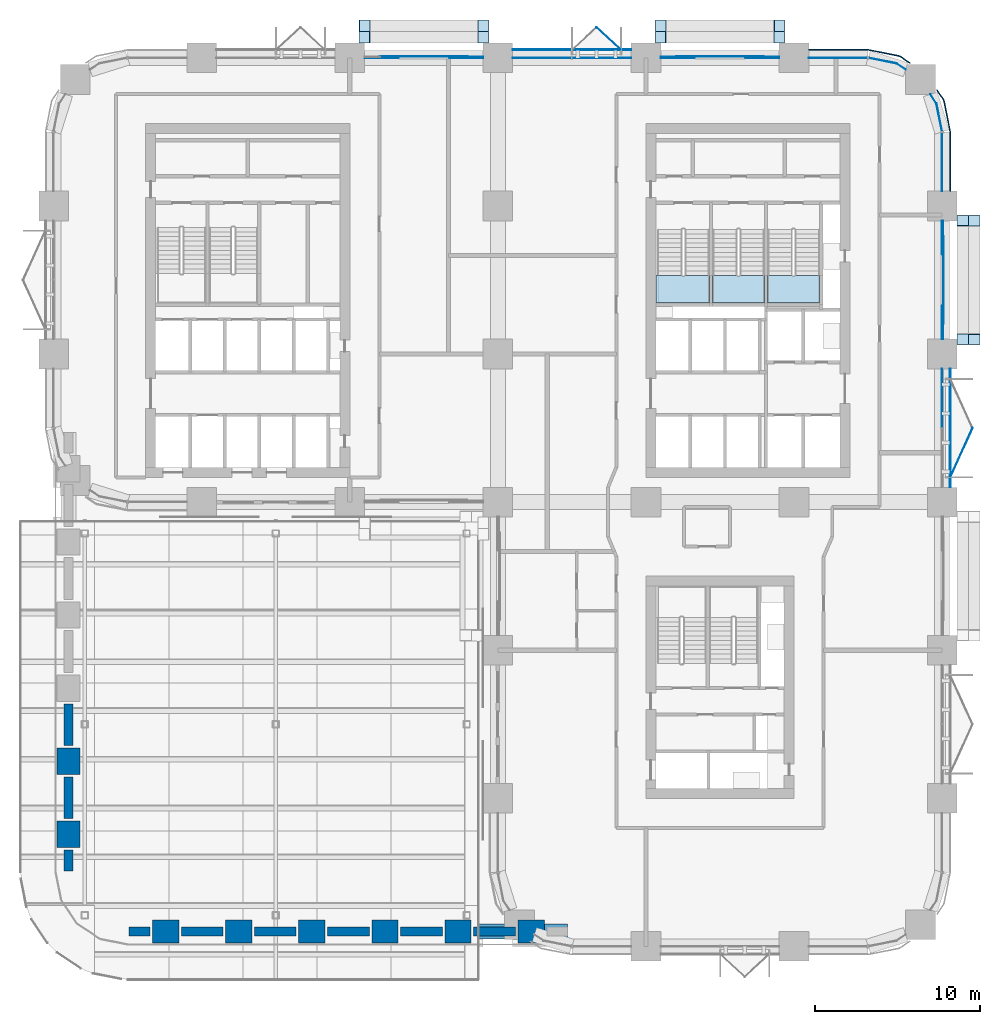
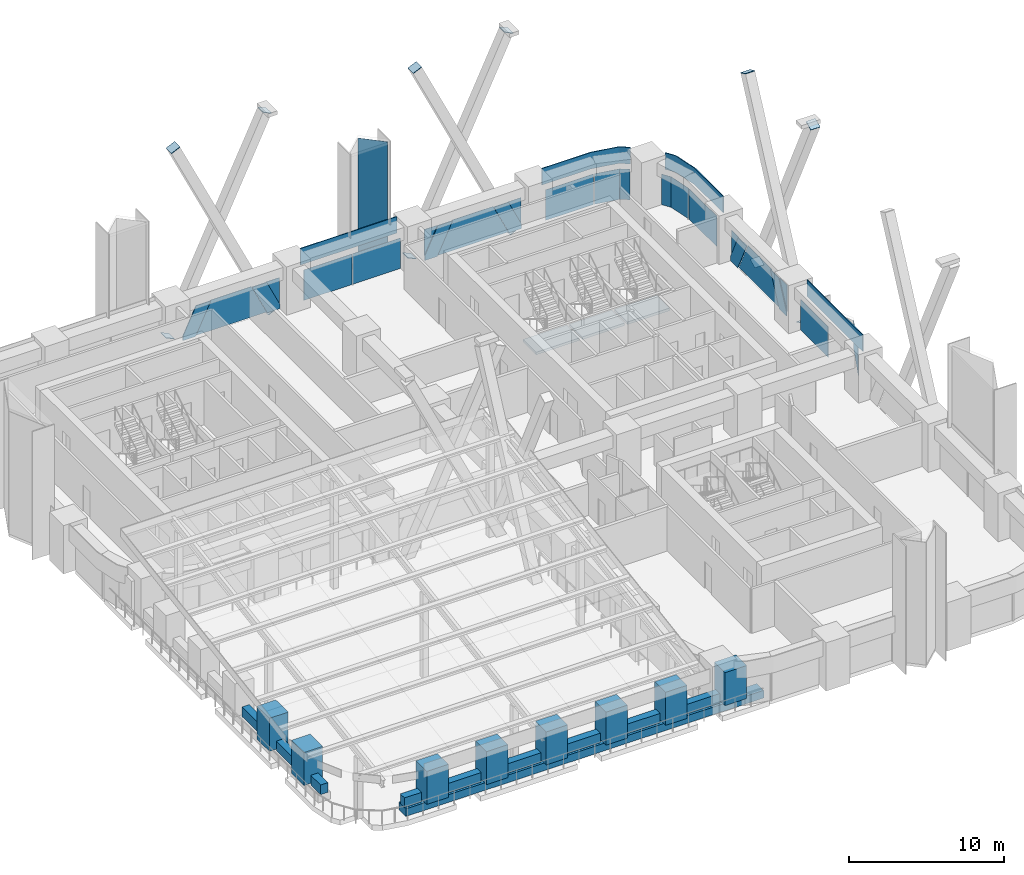
# One storey, part 12 of 22: 39 plates, 18 walls, 3 slabs, 10 elements without a shape of their own.
"""IFC4 building model written with IfcOpenShell, lengths in metres."""

from ifc_helpers import new_model, si_unit, direction, frame, frame_2d, origin, origin_2d, place, context, subcontext, project, spatial, polyline, rectangle, outline, extrude, material, layer, layer_set, type_object, element, aggregate, save


model = new_model("IFC4")

# Units and contexts
model_context = context("Model", 3, precision=1e-05, world=origin(), true_north=direction((0.0, 1.0)))
body_context = subcontext(model_context, "Body", "Model", "MODEL_VIEW")
ifc_project = project(units=[si_unit("LENGTHUNIT", "METRE"), si_unit("AREAUNIT", "SQUARE_METRE"), si_unit("VOLUMEUNIT", "CUBIC_METRE"), si_unit("PLANEANGLEUNIT", "RADIAN"), si_unit("MASSUNIT", "GRAM", prefix="KILO")], contexts=[model_context])

# Site, building, storey
site_placement = place(None, origin())
site = spatial("IfcSite", under=ifc_project, at=site_placement, CompositionType="ELEMENT")
building_placement = place(site_placement, origin())
building = spatial("IfcBuilding", under=site, at=building_placement, Name="Tessera Arch", CompositionType="ELEMENT")
storey_placement = place(building_placement, frame((0.0, 0.0, 77.800048828125)))
storey = spatial("IfcBuildingStorey", under=building, at=storey_placement, Name="L17", CompositionType="ELEMENT", Elevation=77.800048828125)

# Curtain wall, plates
ifc_material_1 = material(Name="CW1 curtain wall")
curtain_wall_type_1 = type_object("IfcCurtainWallType", Name="CW1 curtain wall", PredefinedType="NOTDEFINED", material=ifc_material_1)
curtain_wall_1_placement = place(storey_placement, origin())
curtain_wall_1 = element("IfcCurtainWall", 1, at=curtain_wall_1_placement, inside=storey, type_object=curtain_wall_type_1, Name="CW1 curtain wall N54.0/1 L17", PredefinedType="NOTDEFINED")
ifc_material_2 = material(Name="Clear low-e glass", Category="glass")
ifc_material_3 = material(Name="Clear low-e glass", Category="glass")
ifc_layer_1 = layer(ifc_material_3, 0.028076171875)
ifc_layer_set_1 = layer_set([ifc_layer_1], Name="CW1 glass panel")
plate_type_1 = type_object("IfcPlateType", Name="CW1 glass panel", PredefinedType="CURTAIN_PANEL", material=ifc_layer_set_1)
plate_1_placement = place(storey_placement, frame((33.31494140625, 54.0, 0.0), z_axis=(0.0, 0.0, 1.0), x_axis=(-1.0, 0.0, 0.0)))
plate_1 = element("IfcPlate", 2, at=plate_1_placement, type_object=plate_type_1, material=ifc_material_2, Name="CW1 glass panel N54.0/1 1.1.1", PredefinedType="CURTAIN_PANEL", context=body_context, shape_type="SweptSolid", body=[
    extrude(rectangle(XDim=3.570068359375, YDim=0.028076171875, at=origin_2d()), origin(), (0.0, 0.0, 1.0), 2.39990234375),
])
plate_2_placement = place(storey_placement, frame((29.68505859375, 54.0, 0.0), z_axis=(0.0, 0.0, 1.0), x_axis=(-1.0, 0.0, 0.0)))
plate_2 = element("IfcPlate", 3, at=plate_2_placement, type_object=plate_type_1, material=ifc_material_2, Name="CW1 glass panel N54.0/1 1.2.1", PredefinedType="CURTAIN_PANEL", context=body_context, shape_type="SweptSolid", body=[
    extrude(rectangle(XDim=3.570068359375, YDim=0.028076171875, at=origin_2d()), origin(), (0.0, 0.0, 1.0), 2.39990234375),
])

# Curtain wall, plate
curtain_wall_2_placement = place(storey_placement, origin())
curtain_wall_2 = element("IfcCurtainWall", 4, at=curtain_wall_2_placement, inside=storey, type_object=curtain_wall_type_1, Name="CW1 curtain wall E54.0/3 L17", PredefinedType="NOTDEFINED")
plate_3_placement = place(storey_placement, frame((54.0, 33.31494140625, 0.0), z_axis=(0.0, 0.0, 1.0), x_axis=(0.0, 1.0, 0.0)))
plate_3 = element("IfcPlate", 5, at=plate_3_placement, type_object=plate_type_1, material=ifc_material_2, Name="CW1 glass panel E54.0/3 1.2.1", PredefinedType="CURTAIN_PANEL", context=body_context, shape_type="SweptSolid", body=[
    extrude(rectangle(XDim=3.570068359375, YDim=0.028076171875, at=origin_2d()), origin(), (0.0, 0.0, 1.0), 2.39990234375),
])

# Plate
ifc_material_4 = material(Name="Pale anodised aluminium panel", Category="aluminium")
ifc_layer_2 = layer(ifc_material_4, 0.06005859375)
ifc_layer_set_2 = layer_set([ifc_layer_2], Name="CW1 spandrel panel")
plate_type_2 = type_object("IfcPlateType", Name="CW1 spandrel panel", PredefinedType="CURTAIN_PANEL", material=ifc_layer_set_2)
plate_4_placement = place(storey_placement, frame((31.5, 54.47998046875, 2.5), z_axis=(0.0, 0.0, 1.0), x_axis=(-1.0, 0.0, 0.0)))
plate_4 = element("IfcPlate", 6, at=plate_4_placement, type_object=plate_type_2, Name="CW1 spandrel panel N54.0/1", PredefinedType="CURTAIN_PANEL", context=body_context, shape_type="SweptSolid", body=[
    extrude(rectangle(XDim=7.199951171875, YDim=0.06005859375, at=origin_2d()), origin(), (0.0, 0.0, 1.0), 1.300048828125),
])

aggregate(curtain_wall_1, [plate_1, plate_2, plate_4])

plate_5_placement = place(storey_placement, frame((54.47998046875, 31.5, 2.5), z_axis=(0.0, 0.0, 1.0), x_axis=(0.0, 1.0, 0.0)))
plate_5 = element("IfcPlate", 7, at=plate_5_placement, type_object=plate_type_2, Name="CW1 spandrel panel E54.0/3", PredefinedType="CURTAIN_PANEL", context=body_context, shape_type="SweptSolid", body=[
    extrude(rectangle(XDim=7.199951171875, YDim=0.06005859375, at=origin_2d()), origin(), (0.0, 0.0, 1.0), 1.300048828125),
])

aggregate(curtain_wall_2, [plate_3, plate_5])

# Curtain wall, plates
ifc_material_5 = material(Name="CW2 curtain wall")
curtain_wall_type_2 = type_object("IfcCurtainWallType", Name="CW2 curtain wall", PredefinedType="NOTDEFINED", material=ifc_material_5)
curtain_wall_3_placement = place(storey_placement, origin())
curtain_wall_3 = element("IfcCurtainWall", 8, at=curtain_wall_3_placement, inside=storey, type_object=curtain_wall_type_2, Name="CW2 curtain wall E54.0/5 L17", PredefinedType="NOTDEFINED")
ifc_material_6 = material(Name="Clear low-e glass", Category="glass")
ifc_layer_3 = layer(ifc_material_6, 0.028076171875)
ifc_layer_set_3 = layer_set([ifc_layer_3], Name="CW2 glass panel")
plate_type_3 = type_object("IfcPlateType", Name="CW2 glass panel", PredefinedType="CURTAIN_PANEL", material=ifc_layer_set_3)
plate_6_placement = place(storey_placement, frame((54.0, 47.679931640625, 0.0), z_axis=(0.0, 0.0, 1.0), x_axis=(0.0, 1.0, 0.0)))
plate_6 = element("IfcPlate", 9, at=plate_6_placement, type_object=plate_type_3, material=ifc_material_2, Name="CW2 glass panel E54.0/5 1.1", PredefinedType="CURTAIN_PANEL", context=body_context, shape_type="SweptSolid", body=[
    extrude(rectangle(XDim=3.56005859375, YDim=0.028076171875, at=origin_2d()), origin(), (0.0, 0.0, 1.0), 2.39990234375),
])
plate_7_placement = place(storey_placement, origin())
plate_7 = element("IfcPlate", 10, at=plate_7_placement, type_object=plate_type_3, material=ifc_material_2, Name="CW2 curved glass panel E54.0/5 2.1", PredefinedType="CURTAIN_PANEL", context=body_context, shape_type="SweptSolid", body=[
    extrude(outline(polyline([(53.644287109375, 51.216552734375), (53.978515625, 49.53662109375), (54.005859375, 49.5419921875), (53.670654296875, 51.2275390625), (53.294921875, 51.789794921875), (53.271728515625, 51.774169921875), (53.644287109375, 51.216552734375)])), origin(), (0.0, 0.0, 1.0), 2.39990234375),
])

curtain_wall_4_placement = place(storey_placement, origin())
curtain_wall_4 = element("IfcCurtainWall", 11, at=curtain_wall_4_placement, inside=storey, type_object=curtain_wall_type_2, Name="CW2 curtain wall N54.0/5 L17", PredefinedType="NOTDEFINED")
plate_8_placement = place(storey_placement, frame((47.679931640625, 54.0, 0.0), z_axis=(0.0, 0.0, 1.0), x_axis=(-1.0, 0.0, 0.0)))
plate_8 = element("IfcPlate", 12, at=plate_8_placement, type_object=plate_type_3, material=ifc_material_2, Name="CW2 glass panel N54.0/5 1.1", PredefinedType="CURTAIN_PANEL", context=body_context, shape_type="SweptSolid", body=[
    extrude(rectangle(XDim=3.56005859375, YDim=0.028076171875, at=origin_2d()), origin(), (0.0, 0.0, 1.0), 2.39990234375),
])
plate_9_placement = place(storey_placement, origin())
plate_9 = element("IfcPlate", 13, at=plate_9_placement, type_object=plate_type_3, material=ifc_material_2, Name="CW2 curved glass panel N54.0/5 2.1", PredefinedType="CURTAIN_PANEL", context=body_context, shape_type="SweptSolid", body=[
    extrude(outline(polyline([(51.216552734375, 53.644287109375), (51.774169921875, 53.271728515625), (51.789794921875, 53.294921875), (51.2275390625, 53.670654296875), (49.5419921875, 54.005859375), (49.53662109375, 53.978515625), (51.216552734375, 53.644287109375)])), origin(), (0.0, 0.0, 1.0), 2.39990234375),
])

# Plate
ifc_material_7 = material(Name="Pale anodised aluminium panel", Category="aluminium")
ifc_layer_4 = layer(ifc_material_7, 0.06005859375)
ifc_layer_set_4 = layer_set([ifc_layer_4], Name="CW2 spandrel panel")
plate_type_4 = type_object("IfcPlateType", Name="CW2 spandrel panel", PredefinedType="CURTAIN_PANEL", material=ifc_layer_set_4)
plate_10_placement = place(storey_placement, frame((0.0, 0.0, 2.5)))
plate_10 = element("IfcPlate", 14, at=plate_10_placement, type_object=plate_type_4, Name="CW2 spandrel panel E54.0/5", PredefinedType="CURTAIN_PANEL", context=body_context, shape_type="SweptSolid", body=[
    extrude(outline(polyline([(54.449951171875, 49.499267578125), (54.449951171875, 45.89990234375), (54.510009765625, 45.89990234375), (54.510009765625, 49.500732421875), (54.507568359375, 49.550048828125), (54.500244140625, 49.598876953125), (54.157470703125, 51.322265625), (54.1455078125, 51.3701171875), (54.128662109375, 51.417236328125), (54.107177734375, 51.462646484375), (54.08203125, 51.5048828125), (53.707275390625, 52.0654296875), (53.657470703125, 52.031982421875), (54.03125, 51.47265625), (54.05419921875, 51.434326171875), (54.0732421875, 51.394287109375), (54.088134765625, 51.352783203125), (54.09912109375, 51.30908203125), (54.441162109375, 49.588623046875), (54.44775390625, 49.544189453125), (54.449951171875, 49.499267578125)])), origin(), (0.0, 0.0, 1.0), 1.300048828125),
])

aggregate(curtain_wall_3, [plate_6, plate_7, plate_10])

plate_11_placement = place(storey_placement, frame((0.0, 0.0, 2.5)))
plate_11 = element("IfcPlate", 15, at=plate_11_placement, type_object=plate_type_4, Name="CW2 spandrel panel N54.0/5", PredefinedType="CURTAIN_PANEL", context=body_context, shape_type="SweptSolid", body=[
    extrude(outline(polyline([(51.47265625, 54.03125), (52.031982421875, 53.657470703125), (52.0654296875, 53.707275390625), (51.5048828125, 54.08203125), (51.462646484375, 54.107177734375), (51.417236328125, 54.128662109375), (51.3701171875, 54.1455078125), (51.322265625, 54.157470703125), (49.598876953125, 54.500244140625), (49.550048828125, 54.507568359375), (49.500732421875, 54.510009765625), (45.89990234375, 54.510009765625), (45.89990234375, 54.449951171875), (49.499267578125, 54.449951171875), (49.544189453125, 54.44775390625), (49.588623046875, 54.441162109375), (51.30908203125, 54.09912109375), (51.352783203125, 54.088134765625), (51.394287109375, 54.0732421875), (51.434326171875, 54.05419921875), (51.47265625, 54.03125)])), origin(), (0.0, 0.0, 1.0), 1.300048828125),
])

aggregate(curtain_wall_4, [plate_8, plate_9, plate_11])

# Curtain wall, plates
ifc_material_8 = material(Name="CW3 curtain wall")
curtain_wall_type_3 = type_object("IfcCurtainWallType", Name="CW3 curtain wall", PredefinedType="NOTDEFINED", material=ifc_material_8)
curtain_wall_5_placement = place(storey_placement, origin())
curtain_wall_5 = element("IfcCurtainWall", 16, at=curtain_wall_5_placement, inside=storey, type_object=curtain_wall_type_3, Name="CW3 curtain wall N54.0/0 L17", PredefinedType="NOTDEFINED")
ifc_material_9 = material(Name="Pale anodised aluminium panel", Category="aluminium")
ifc_layer_5 = layer(ifc_material_9, 0.06005859375)
ifc_layer_set_5 = layer_set([ifc_layer_5], Name="CW3 diagonal panel")
plate_type_5 = type_object("IfcPlateType", Name="CW3 diagonal panel", PredefinedType="CURTAIN_PANEL", material=ifc_layer_set_5)
plate_12_placement = place(storey_placement, frame((36.89990234375, 54.030029296875, 0.0), z_axis=(0.0, 1.0, 0.0), x_axis=(0.0, 0.0, 1.0)))
plate_12 = element("IfcPlate", 17, at=plate_12_placement, type_object=plate_type_5, Name="CW3 diagonal panel N54.0/0 1", PredefinedType="CURTAIN_PANEL", context=body_context, shape_type="SweptSolid", body=[
    extrude(outline(polyline([(0.0, 0.0), (0.36083984375, 0.0), (2.39990234375, 0.966064453125), (2.39990234375, 2.06591796875), (0.0, 0.928955078125), (0.0, 0.0)])), origin(), (0.0, 0.0, -1.0), 0.06005859375),
])
plate_13_placement = place(storey_placement, frame((42.0341796875, 54.030029296875, 2.39990234375), z_axis=(0.0, 1.0, 0.0), x_axis=(1.0, 0.0, 0.0)))
plate_13 = element("IfcPlate", 18, at=plate_13_placement, type_object=plate_type_5, Name="CW3 diagonal panel N54.0/0 2", PredefinedType="CURTAIN_PANEL", context=body_context, shape_type="SweptSolid", body=[
    extrude(outline(polyline([(0.0, 0.0), (1.099853515625, 0.0), (2.06591796875, 2.0390625), (2.06591796875, 2.39990234375), (1.136962890625, 2.39990234375), (0.0, 0.0)])), origin(), (0.0, 0.0, -1.0), 0.06005859375),
])

curtain_wall_6_placement = place(storey_placement, origin())
curtain_wall_6 = element("IfcCurtainWall", 19, at=curtain_wall_6_placement, inside=storey, type_object=curtain_wall_type_3, Name="CW3 curtain wall N54.0/2 L17", PredefinedType="NOTDEFINED")
plate_14_placement = place(storey_placement, frame((18.89990234375, 54.030029296875, 0.0), z_axis=(0.0, 1.0, 0.0), x_axis=(0.0, 0.0, 1.0)))
plate_14 = element("IfcPlate", 20, at=plate_14_placement, type_object=plate_type_5, Name="CW3 diagonal panel N54.0/2 1", PredefinedType="CURTAIN_PANEL", context=body_context, shape_type="SweptSolid", body=[
    extrude(outline(polyline([(0.0, 0.0), (0.36083984375, 0.0), (2.39990234375, 0.966064453125), (2.39990234375, 2.06591796875), (0.0, 0.928955078125), (0.0, 0.0)])), origin(), (0.0, 0.0, -1.0), 0.06005859375),
])
plate_15_placement = place(storey_placement, frame((24.0341796875, 54.030029296875, 2.39990234375), z_axis=(0.0, 1.0, 0.0), x_axis=(1.0, 0.0, 0.0)))
plate_15 = element("IfcPlate", 21, at=plate_15_placement, type_object=plate_type_5, Name="CW3 diagonal panel N54.0/2 2", PredefinedType="CURTAIN_PANEL", context=body_context, shape_type="SweptSolid", body=[
    extrude(outline(polyline([(0.0, 0.0), (1.099853515625, 0.0), (2.06591796875, 2.0390625), (2.06591796875, 2.39990234375), (1.136962890625, 2.39990234375), (0.0, 0.0)])), origin(), (0.0, 0.0, -1.0), 0.06005859375),
])

curtain_wall_7_placement = place(storey_placement, origin())
curtain_wall_7 = element("IfcCurtainWall", 22, at=curtain_wall_7_placement, inside=storey, type_object=curtain_wall_type_3, Name="CW3 curtain wall E54.0/4 L17", PredefinedType="NOTDEFINED")
plate_16_placement = place(storey_placement, frame((54.030029296875, 44.10009765625, 0.0), z_axis=(1.0, 0.0, 0.0), x_axis=(0.0, 0.0, 1.0)))
plate_16 = element("IfcPlate", 23, at=plate_16_placement, type_object=plate_type_5, Name="CW3 diagonal panel E54.0/4 1", PredefinedType="CURTAIN_PANEL", context=body_context, shape_type="SweptSolid", body=[
    extrude(outline(polyline([(0.0, 0.0), (0.36083984375, 0.0), (2.39990234375, 0.966064453125), (2.39990234375, 2.06591796875), (0.0, 0.928955078125), (0.0, 0.0)])), origin(), (0.0, 0.0, -1.0), 0.06005859375),
])
plate_17_placement = place(storey_placement, frame((54.030029296875, 38.9658203125, 2.39990234375), z_axis=(1.0, 0.0, 0.0), x_axis=(0.0, -1.0, 0.0)))
plate_17 = element("IfcPlate", 24, at=plate_17_placement, type_object=plate_type_5, Name="CW3 diagonal panel E54.0/4 2", PredefinedType="CURTAIN_PANEL", context=body_context, shape_type="SweptSolid", body=[
    extrude(outline(polyline([(0.0, 0.0), (1.099853515625, 0.0), (2.06591796875, 2.0390625), (2.06591796875, 2.39990234375), (1.136962890625, 2.39990234375), (0.0, 0.0)])), origin(), (0.0, 0.0, -1.0), 0.06005859375),
])

# Plate
ifc_material_10 = material(Name="Clear low-e glass", Category="glass")
ifc_layer_6 = layer(ifc_material_10, 0.028076171875)
ifc_layer_set_6 = layer_set([ifc_layer_6], Name="CW3 glass panel")
plate_type_6 = type_object("IfcPlateType", Name="CW3 glass panel", PredefinedType="CURTAIN_PANEL", material=ifc_layer_set_6)
plate_18_placement = place(storey_placement, frame((44.10009765625, 54.05810546875, 2.39990234375), z_axis=(0.0, 1.0, 0.0), x_axis=(0.0, 0.0, -1.0)))
plate_18 = element("IfcPlate", 25, at=plate_18_placement, type_object=plate_type_6, material=ifc_material_2, Name="CW3 triangulated glass panel N54.0/0 1", PredefinedType="CURTAIN_PANEL", context=body_context, shape_type="SweptSolid", body=[
    extrude(outline(polyline([(0.0, 0.0), (2.0390625, 0.0), (0.0, 0.966064453125), (0.0, 0.0)])), origin(), (0.0, 0.0, -1.0), 0.028076171875),
])

plate_19_placement = place(storey_placement, frame((38.9658203125, 54.0859375, 2.39990234375), z_axis=(0.0, 1.0, 0.0), x_axis=(1.0, 0.0, 0.0)))
plate_19 = element("IfcPlate", 26, at=plate_19_placement, type_object=plate_type_6, material=ifc_material_2, Name="CW3 triangulated glass panel N54.0/0 2", PredefinedType="CURTAIN_PANEL", context=body_context, shape_type="SweptSolid", body=[
    extrude(outline(polyline([(0.0, 0.0), (3.068359375, 0.0), (4.205322265625, 2.39990234375), (-1.136962890625, 2.39990234375), (0.0, 0.0)])), origin(), (0.0, 0.0, -1.0), 0.028076171875),
])

plate_20_placement = place(storey_placement, frame((36.89990234375, 54.05810546875, 2.39990234375), z_axis=(0.0, 1.0, 0.0), x_axis=(1.0, 0.0, 0.0)))
plate_20 = element("IfcPlate", 27, at=plate_20_placement, type_object=plate_type_6, material=ifc_material_2, Name="CW3 triangulated glass panel N54.0/0 3", PredefinedType="CURTAIN_PANEL", context=body_context, shape_type="SweptSolid", body=[
    extrude(outline(polyline([(0.0, 0.0), (0.966064453125, 0.0), (0.0, 2.0390625), (0.0, 0.0)])), origin(), (0.0, 0.0, -1.0), 0.028076171875),
])

aggregate(curtain_wall_5, [plate_18, plate_19, plate_20, plate_12, plate_13])

plate_21_placement = place(storey_placement, frame((26.10009765625, 54.05810546875, 2.39990234375), z_axis=(0.0, 1.0, 0.0), x_axis=(0.0, 0.0, -1.0)))
plate_21 = element("IfcPlate", 28, at=plate_21_placement, type_object=plate_type_6, material=ifc_material_2, Name="CW3 triangulated glass panel N54.0/2 1", PredefinedType="CURTAIN_PANEL", context=body_context, shape_type="SweptSolid", body=[
    extrude(outline(polyline([(0.0, 0.0), (2.0390625, 0.0), (0.0, 0.966064453125), (0.0, 0.0)])), origin(), (0.0, 0.0, -1.0), 0.028076171875),
])

plate_22_placement = place(storey_placement, frame((20.9658203125, 54.0859375, 2.39990234375), z_axis=(0.0, 1.0, 0.0), x_axis=(1.0, 0.0, 0.0)))
plate_22 = element("IfcPlate", 29, at=plate_22_placement, type_object=plate_type_6, material=ifc_material_2, Name="CW3 triangulated glass panel N54.0/2 2", PredefinedType="CURTAIN_PANEL", context=body_context, shape_type="SweptSolid", body=[
    extrude(outline(polyline([(0.0, 0.0), (3.068359375, 0.0), (4.205322265625, 2.39990234375), (-1.136962890625, 2.39990234375), (0.0, 0.0)])), origin(), (0.0, 0.0, -1.0), 0.028076171875),
])

aggregate(curtain_wall_6, [plate_21, plate_22, plate_14, plate_15])

plate_23_placement = place(storey_placement, frame((54.05810546875, 36.89990234375, 2.39990234375), z_axis=(1.0, 0.0, 0.0), x_axis=(0.0, 0.0, -1.0)))
plate_23 = element("IfcPlate", 30, at=plate_23_placement, type_object=plate_type_6, material=ifc_material_2, Name="CW3 triangulated glass panel E54.0/4 1", PredefinedType="CURTAIN_PANEL", context=body_context, shape_type="SweptSolid", body=[
    extrude(outline(polyline([(0.0, 0.0), (2.0390625, 0.0), (0.0, 0.966064453125), (0.0, 0.0)])), origin(), (0.0, 0.0, -1.0), 0.028076171875),
])

plate_24_placement = place(storey_placement, frame((54.0859375, 42.0341796875, 2.39990234375), z_axis=(1.0, 0.0, 0.0), x_axis=(0.0, -1.0, 0.0)))
plate_24 = element("IfcPlate", 31, at=plate_24_placement, type_object=plate_type_6, material=ifc_material_2, Name="CW3 triangulated glass panel E54.0/4 2", PredefinedType="CURTAIN_PANEL", context=body_context, shape_type="SweptSolid", body=[
    extrude(outline(polyline([(0.0, 0.0), (3.068359375, 0.0), (4.205322265625, 2.39990234375), (-1.136962890625, 2.39990234375), (0.0, 0.0)])), origin(), (0.0, 0.0, -1.0), 0.028076171875),
])

plate_25_placement = place(storey_placement, frame((54.05810546875, 44.10009765625, 2.39990234375), z_axis=(1.0, 0.0, 0.0), x_axis=(0.0, -1.0, 0.0)))
plate_25 = element("IfcPlate", 32, at=plate_25_placement, type_object=plate_type_6, material=ifc_material_2, Name="CW3 triangulated glass panel E54.0/4 3", PredefinedType="CURTAIN_PANEL", context=body_context, shape_type="SweptSolid", body=[
    extrude(outline(polyline([(0.0, 0.0), (0.966064453125, 0.0), (0.0, 2.0390625), (0.0, 0.0)])), origin(), (0.0, 0.0, -1.0), 0.028076171875),
])

aggregate(curtain_wall_7, [plate_23, plate_24, plate_25, plate_16, plate_17])

# Plates
ifc_material_11 = material(Name="Steel A572 Gr50", Category="steel")
ifc_layer_7 = layer(ifc_material_11, 0.0400390625)
ifc_layer_set_7 = layer_set([ifc_layer_7], Name="End plate BOX 700x700x50")
plate_type_7 = type_object("IfcPlateType", Name="End plate BOX 700x700x50", PredefinedType="SHEET", material=ifc_layer_set_7)
for number, where, z_axis, x_axis, name in (
    (33, (44.1171875, 55.25, -0.836181640625), (-0.427561148889, 0.0, 0.90398642908), (0.0, -1.0, 0.0), "End plate BOX 700x700x50 N54.0-0 A1 L17"),
    (34, (36.89990234375, 55.25, 14.39990234375), (-0.427561148889, 0.0, 0.90398642908), (0.0, -1.0, 0.0), "End plate BOX 700x700x50 N54.0-0 A2 L17"),
    (35, (36.8828125, 55.949951171875, -0.836181640625), (0.427561148889, 0.0, 0.90398642908), (0.0, 1.0, 0.0), "End plate BOX 700x700x50 N54.0-0 B1 L17"),
    (36, (44.10009765625, 55.949951171875, 14.39990234375), (0.427561148889, 0.0, 0.90398642908), (0.0, 1.0, 0.0), "End plate BOX 700x700x50 N54.0-0 B2 L17"),
    (37, (26.1171875, 55.25, -0.836181640625), (-0.427561148889, 0.0, 0.90398642908), (0.0, -1.0, 0.0), "End plate BOX 700x700x50 N54.0-2 A1 L17"),
    (38, (18.89990234375, 55.25, 14.39990234375), (-0.427561148889, 0.0, 0.90398642908), (0.0, -1.0, 0.0), "End plate BOX 700x700x50 N54.0-2 A2 L17"),
    (39, (18.8828125, 55.949951171875, -0.836181640625), (0.427561148889, 0.0, 0.90398642908), (0.0, 1.0, 0.0), "End plate BOX 700x700x50 N54.0-2 B1 L17"),
    (40, (26.10009765625, 55.949951171875, 14.39990234375), (0.427561148889, 0.0, 0.90398642908), (0.0, 1.0, 0.0), "End plate BOX 700x700x50 N54.0-2 B2 L17"),
    (41, (55.25, 36.8828125, -0.836181640625), (0.0, 0.427561148889, 0.90398642908), (-1.0, 0.0, 0.0), "End plate BOX 700x700x50 E54.0-4 A1 L17"),
    (42, (55.25, 44.10009765625, 14.39990234375), (0.0, 0.427561148889, 0.90398642908), (-1.0, 0.0, 0.0), "End plate BOX 700x700x50 E54.0-4 A2 L17"),
    (43, (55.949951171875, 44.1171875, -0.836181640625), (0.0, -0.427561148889, 0.90398642908), (1.0, 0.0, 0.0), "End plate BOX 700x700x50 E54.0-4 B1 L17"),
    (44, (55.949951171875, 36.89990234375, 14.39990234375), (0.0, -0.427561148889, 0.90398642908), (1.0, 0.0, 0.0), "End plate BOX 700x700x50 E54.0-4 B2 L17"),
):
    element("IfcPlate", number, at=place(storey_placement, frame(where, z_axis=z_axis, x_axis=x_axis)), inside=storey, type_object=plate_type_7, Name=name, PredefinedType="SHEET", context=body_context, shape_type="SweptSolid", body=[
        extrude(rectangle(XDim=0.699951171875, YDim=0.699951171875, at=origin_2d()), origin(), (0.0, 0.0, 1.0), 0.0400390625),
    ])

# Stair, slab
ifc_material_12 = material(Name="Concrete C40/50", Category="concrete")
stair_type = type_object("IfcStairType", Name="Dogleg stair 1520", PredefinedType="HALF_TURN_STAIR", material=ifc_material_12)
stair_1_placement = place(storey_placement, origin())
stair_1 = element("IfcStair", 45, at=stair_1_placement, inside=storey, type_object=stair_type, Name="L17 S1a", PredefinedType="HALF_TURN_STAIR")
ifc_material_13 = material(Name="Concrete C40/50", Category="concrete")
ifc_layer_8 = layer(ifc_material_13, 0.300048828125)
ifc_layer_set_8 = layer_set([ifc_layer_8], Name="Stair landing 300")
slab_type = type_object("IfcSlabType", Name="Stair landing 300", PredefinedType="LANDING", material=ifc_layer_set_8)
slab_1_placement = place(storey_placement, frame((0.0, 0.0, 1.699951171875)))
slab_1 = element("IfcSlab", 46, at=slab_1_placement, type_object=slab_type, Name="S1a landing 1", PredefinedType="LANDING", context=body_context, shape_type="SweptSolid", body=[
    extrude(outline(polyline([(36.60009765625, 40.780029296875), (36.60009765625, 39.10009765625), (39.85009765625, 39.10009765625), (39.85009765625, 40.780029296875), (36.60009765625, 40.780029296875)])), origin(), (0.0, 0.0, 1.0), 0.199951171875),
])
aggregate(stair_1, [slab_1])

stair_2_placement = place(storey_placement, origin())
stair_2 = element("IfcStair", 47, at=stair_2_placement, inside=storey, type_object=stair_type, Name="L17 S1b", PredefinedType="HALF_TURN_STAIR")
slab_2_placement = place(storey_placement, frame((0.0, 0.0, 1.699951171875)))
slab_2 = element("IfcSlab", 48, at=slab_2_placement, type_object=slab_type, Name="S1b landing 1", PredefinedType="LANDING", context=body_context, shape_type="SweptSolid", body=[
    extrude(outline(polyline([(40.050048828125, 40.780029296875), (40.050048828125, 39.10009765625), (43.199951171875, 39.10009765625), (43.199951171875, 40.780029296875), (40.050048828125, 40.780029296875)])), origin(), (0.0, 0.0, 1.0), 0.199951171875),
])
aggregate(stair_2, [slab_2])

stair_3_placement = place(storey_placement, origin())
stair_3 = element("IfcStair", 49, at=stair_3_placement, inside=storey, type_object=stair_type, Name="L17 S1c", PredefinedType="HALF_TURN_STAIR")
slab_3_placement = place(storey_placement, frame((0.0, 0.0, 1.699951171875)))
slab_3 = element("IfcSlab", 50, at=slab_3_placement, type_object=slab_type, Name="S1c landing 1", PredefinedType="LANDING", context=body_context, shape_type="SweptSolid", body=[
    extrude(outline(polyline([(43.39990234375, 40.780029296875), (43.39990234375, 39.10009765625), (46.550048828125, 39.10009765625), (46.550048828125, 40.780029296875), (43.39990234375, 40.780029296875)])), origin(), (0.0, 0.0, 1.0), 0.199951171875),
])
aggregate(stair_3, [slab_3])

# Plates
ifc_material_14 = material(Name="Clear low-e glass", Category="glass")
ifc_layer_9 = layer(ifc_material_14, 0.028076171875)
ifc_layer_set_9 = layer_set([ifc_layer_9], Name="Window box glass facet")
plate_type_8 = type_object("IfcPlateType", Name="Window box glass facet", PredefinedType="SHEET", material=ifc_layer_set_9)
plate_26_placement = place(storey_placement, frame((33.72509765625, 55.179931640625, 0.22021484375), z_axis=(0.0, 0.0, 1.0), x_axis=(-0.734414958885, 0.678700720617, 0.0)))
element("IfcPlate", 51, at=plate_26_placement, inside=storey, type_object=plate_type_8, Name="Window box N54.0/1.0 1x3 glass", PredefinedType="SHEET", context=body_context, shape_type="SweptSolid", body=[
    extrude(rectangle(XDim=1.974365234375, YDim=0.028076171875, at=origin_2d()), origin(), (0.0, 0.0, 1.0), 9.659912109375),
])
plate_27_placement = place(storey_placement, frame((55.179931640625, 30.02490234375, 0.219970703125), z_axis=(0.0, 0.0, 1.0), x_axis=(0.413570397858, 0.910472144558, 0.0)))
element("IfcPlate", 52, at=plate_27_placement, inside=storey, type_object=plate_type_8, Name="Window box E54.0/3.0 2x1 glass", PredefinedType="SHEET", context=body_context, shape_type="SweptSolid", body=[
    extrude(rectangle(XDim=3.239990234375, YDim=0.028076171875, at=origin_2d()), origin(), (0.0, 0.0, 1.0), 2.06005859375),
])

# Walls
ifc_material_15 = material(Name="Precast concrete C40/50", Category="concrete")
ifc_layer_10 = layer(ifc_material_15, 1.39990234375)
ifc_layer_set_10 = layer_set([ifc_layer_10], Name="Planter bed 1400 wide")
wall_type_1 = type_object("IfcWallType", Name="Planter bed 1400 wide", PredefinedType="SOLIDWALL", material=ifc_layer_set_10)
wall_1_placement = place(storey_placement, frame((29.822509765625, 0.89990234375, 0.599853515625), z_axis=(0.0, 0.0, 1.0), x_axis=(-1.0, 0.0, 0.0)))
element("IfcWall", 53, at=wall_1_placement, inside=storey, type_object=wall_type_1, Name="Tree planting on bed terrace bed 1-1 1", PredefinedType="SOLIDWALL", context=body_context, shape_type="SweptSolid", body=[
    extrude(rectangle(XDim=1.60009765625, YDim=1.39990234375, at=frame_2d((0.800048828125, 0.0))), origin(), (0.0, 0.0, 1.0), 2.60009765625),
])
for number, where, z_axis, x_axis, name in (
    (54, (25.380126953125, 0.89990234375, 0.599853515625), (0.0, 0.0, 1.0), (-1.0, 0.0, 0.0), "Tree planting on bed terrace bed 1-1 2"),
    (55, (20.937744140625, 0.89990234375, 0.599853515625), (0.0, 0.0, 1.0), (-1.0, 0.0, 0.0), "Tree planting on bed terrace bed 1-1 3"),
):
    element("IfcWall", number, at=place(storey_placement, frame(where, z_axis=z_axis, x_axis=x_axis)), inside=storey, type_object=wall_type_1, Name=name, PredefinedType="SOLIDWALL", context=body_context, shape_type="SweptSolid", body=[
        extrude(rectangle(XDim=1.599853515625, YDim=1.39990234375, at=frame_2d((0.7998046875, 0.0))), origin(), (0.0, 0.0, 1.0), 2.60009765625),
    ])
wall_2_placement = place(storey_placement, frame((16.49560546875, 0.89990234375, 0.599853515625), z_axis=(0.0, 0.0, 1.0), x_axis=(-1.0, 0.0, 0.0)))
element("IfcWall", 56, at=wall_2_placement, inside=storey, type_object=wall_type_1, Name="Tree planting on bed terrace bed 1-1 4", PredefinedType="SOLIDWALL", context=body_context, shape_type="SweptSolid", body=[
    extrude(rectangle(XDim=1.60009765625, YDim=1.39990234375, at=frame_2d((0.800048828125, 0.0))), origin(), (0.0, 0.0, 1.0), 2.60009765625),
])
wall_3_placement = place(storey_placement, frame((12.052978515625, 0.89990234375, 0.599853515625), z_axis=(0.0, 0.0, 1.0), x_axis=(-1.0, 0.0, 0.0)))
element("IfcWall", 57, at=wall_3_placement, inside=storey, type_object=wall_type_1, Name="Tree planting on bed terrace bed 1-1 5", PredefinedType="SOLIDWALL", context=body_context, shape_type="SweptSolid", body=[
    extrude(rectangle(XDim=1.599853515625, YDim=1.39990234375, at=frame_2d((0.7998046875, 0.0))), origin(), (0.0, 0.0, 1.0), 2.60009765625),
])
wall_4_placement = place(storey_placement, frame((7.61083984375, 0.89990234375, 0.599853515625), z_axis=(0.0, 0.0, 1.0), x_axis=(-1.0, 0.0, 0.0)))
element("IfcWall", 58, at=wall_4_placement, inside=storey, type_object=wall_type_1, Name="Tree planting on bed terrace bed 1-1 6", PredefinedType="SOLIDWALL", context=body_context, shape_type="SweptSolid", body=[
    extrude(rectangle(XDim=1.60009765625, YDim=1.39990234375, at=frame_2d((0.800048828125, 0.0))), origin(), (0.0, 0.0, 1.0), 2.60009765625),
])
for number, where, z_axis, x_axis, name in (
    (59, (0.900146484375, 6.00927734375, 0.599853515625), (0.0, 0.0, 1.0), (0.0, 1.0, 0.0), "Tree planting on bed terrace bed 1-2 1"),
    (60, (0.900146484375, 10.451904296875, 0.599853515625), (0.0, 0.0, 1.0), (0.0, 1.0, 0.0), "Tree planting on bed terrace bed 1-2 2"),
):
    element("IfcWall", number, at=place(storey_placement, frame(where, z_axis=z_axis, x_axis=x_axis)), inside=storey, type_object=wall_type_1, Name=name, PredefinedType="SOLIDWALL", context=body_context, shape_type="SweptSolid", body=[
        extrude(rectangle(XDim=1.599853515625, YDim=1.39990234375, at=frame_2d((0.7998046875, 0.0))), origin(), (0.0, 0.0, 1.0), 2.60009765625),
    ])
ifc_material_16 = material(Name="Precast concrete C40/50", Category="concrete")
ifc_layer_11 = layer(ifc_material_16, 0.5400390625)
ifc_layer_set_11 = layer_set([ifc_layer_11], Name="Planter bed 540 wide")
wall_type_2 = type_object("IfcWallType", Name="Planter bed 540 wide", PredefinedType="SOLIDWALL", material=ifc_layer_set_11)
for number, where, z_axis, x_axis, name in (
    (61, (28.072509765625, 0.89990234375, 0.599853515625), (0.0, 0.0, 1.0), (-1.0, 0.0, 0.0), "PLANTER shrub mass on terrace bed 1-1 2"),
    (62, (23.630126953125, 0.89990234375, 0.599853515625), (0.0, 0.0, 1.0), (-1.0, 0.0, 0.0), "PLANTER shrub mass on terrace bed 1-1 3"),
    (63, (19.187744140625, 0.89990234375, 0.599853515625), (0.0, 0.0, 1.0), (-1.0, 0.0, 0.0), "PLANTER shrub mass on terrace bed 1-1 4"),
):
    element("IfcWall", number, at=place(storey_placement, frame(where, z_axis=z_axis, x_axis=x_axis)), inside=storey, type_object=wall_type_2, Name=name, PredefinedType="SOLIDWALL", context=body_context, shape_type="SweptSolid", body=[
        extrude(rectangle(XDim=2.542236328125, YDim=0.5400390625, at=frame_2d((1.27099609375, 0.0))), origin(), (0.0, 0.0, 1.0), 0.75),
    ])
wall_5_placement = place(storey_placement, frame((14.74560546875, 0.89990234375, 0.599853515625), z_axis=(0.0, 0.0, 1.0), x_axis=(-1.0, 0.0, 0.0)))
element("IfcWall", 64, at=wall_5_placement, inside=storey, type_object=wall_type_2, Name="PLANTER shrub mass on terrace bed 1-1 5", PredefinedType="SOLIDWALL", context=body_context, shape_type="SweptSolid", body=[
    extrude(rectangle(XDim=2.54248046875, YDim=0.5400390625, at=frame_2d((1.271240234375, 0.0))), origin(), (0.0, 0.0, 1.0), 0.75),
])
wall_6_placement = place(storey_placement, frame((10.302978515625, 0.89990234375, 0.599853515625), z_axis=(0.0, 0.0, 1.0), x_axis=(-1.0, 0.0, 0.0)))
element("IfcWall", 65, at=wall_6_placement, inside=storey, type_object=wall_type_2, Name="PLANTER shrub mass on terrace bed 1-1 6", PredefinedType="SOLIDWALL", context=body_context, shape_type="SweptSolid", body=[
    extrude(rectangle(XDim=2.542236328125, YDim=0.5400390625, at=frame_2d((1.27099609375, 0.0))), origin(), (0.0, 0.0, 1.0), 0.75),
])
for number, where, z_axis, x_axis, name in (
    (66, (5.86083984375, 0.89990234375, 0.599853515625), (0.0, 0.0, 1.0), (-1.0, 0.0, 0.0), "PLANTER shrub mass on terrace bed 1-1 7"),
    (67, (0.900146484375, 4.587890625, 0.599853515625), (0.0, 0.0, 1.0), (0.0, 1.0, 0.0), "PLANTER shrub mass on terrace bed 1-2 1"),
):
    element("IfcWall", number, at=place(storey_placement, frame(where, z_axis=z_axis, x_axis=x_axis)), inside=storey, type_object=wall_type_2, Name=name, PredefinedType="SOLIDWALL", context=body_context, shape_type="SweptSolid", body=[
        extrude(rectangle(XDim=1.271240234375, YDim=0.5400390625, at=frame_2d((0.6357421875, 0.0))), origin(), (0.0, 0.0, 1.0), 0.75),
    ])
wall_7_placement = place(storey_placement, frame((0.900146484375, 7.75927734375, 0.599853515625), z_axis=(0.0, 0.0, 1.0), x_axis=(0.0, 1.0, 0.0)))
element("IfcWall", 68, at=wall_7_placement, inside=storey, type_object=wall_type_2, Name="PLANTER shrub mass on terrace bed 1-2 2", PredefinedType="SOLIDWALL", context=body_context, shape_type="SweptSolid", body=[
    extrude(rectangle(XDim=2.542724609375, YDim=0.5400390625, at=frame_2d((1.271484375, 0.0))), origin(), (0.0, 0.0, 1.0), 0.75),
])
wall_8_placement = place(storey_placement, frame((0.900146484375, 12.201904296875, 0.599853515625), z_axis=(0.0, 0.0, 1.0), x_axis=(0.0, 1.0, 0.0)))
element("IfcWall", 69, at=wall_8_placement, inside=storey, type_object=wall_type_2, Name="PLANTER shrub mass on terrace bed 1-2 3", PredefinedType="SOLIDWALL", context=body_context, shape_type="SweptSolid", body=[
    extrude(rectangle(XDim=2.54248046875, YDim=0.5400390625, at=frame_2d((1.271240234375, 0.0))), origin(), (0.0, 0.0, 1.0), 0.75),
])
ifc_material_17 = material(Name="Precast concrete C40/50", Category="concrete")
ifc_layer_12 = layer(ifc_material_17, 0.89990234375)
ifc_layer_set_12 = layer_set([ifc_layer_12], Name="Planter bed 900 wide")
wall_type_3 = type_object("IfcWallType", Name="Planter bed 900 wide", PredefinedType="SOLIDWALL", material=ifc_layer_set_12)
wall_9_placement = place(storey_placement, frame((31.24365234375, 0.89990234375, 0.0), z_axis=(0.0, 0.0, 1.0), x_axis=(-1.0, 0.0, 0.0)))
element("IfcWall", 70, at=wall_9_placement, inside=storey, type_object=wall_type_3, Name="PLANTER terrace bed 1-1", PredefinedType="SOLIDWALL", context=body_context, shape_type="SweptSolid", body=[
    extrude(rectangle(XDim=26.654052734375, YDim=0.89990234375, at=frame_2d((13.3271484375, 0.0))), origin(), (0.0, 0.0, 1.0), 0.599853515625),
])

save(model, "model.ifc")
